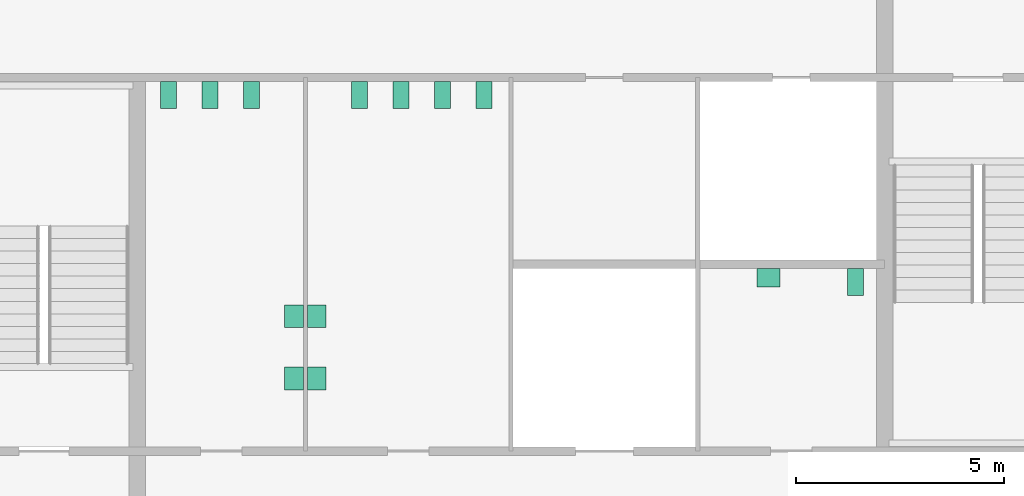
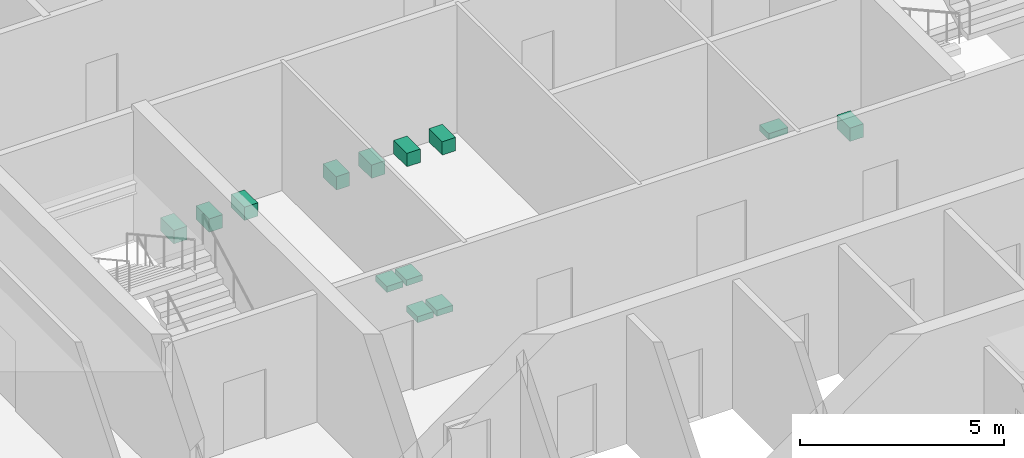
# One storey, part 14 of 14: 13 sanitary terminals.
"""IFC4 building model written with IfcOpenShell, lengths in metres."""

from ifc_helpers import new_model, si_unit, direction, frame, origin, origin_2d, place, context, subcontext, project, spatial, rectangle, extrude, material, type_object, element, save


model = new_model("IFC4")

# Units and contexts
model_context = context("Model", 3, precision=1e-05, world=origin(), true_north=direction((0.0, 1.0)))
body_context = subcontext(model_context, "Body", "Model", "MODEL_VIEW")
ifc_project = project(units=[si_unit("LENGTHUNIT", "METRE"), si_unit("AREAUNIT", "SQUARE_METRE"), si_unit("VOLUMEUNIT", "CUBIC_METRE"), si_unit("PLANEANGLEUNIT", "RADIAN"), si_unit("MASSUNIT", "GRAM", prefix="KILO")], contexts=[model_context])

# Site, building, storey
site_placement = place(None, origin())
site = spatial("IfcSite", under=ifc_project, at=site_placement, CompositionType="ELEMENT")
building_placement = place(site_placement, origin())
building = spatial("IfcBuilding", under=site, at=building_placement, Name="Corais Broadcast Tower", CompositionType="ELEMENT")
storey_placement = place(building_placement, frame((0.0, 0.0, 286.60009765625)))
storey = spatial("IfcBuildingStorey", under=building, at=storey_placement, Name="L67", CompositionType="ELEMENT", Elevation=286.60009765625)

# Sanitary terminals
ifc_material_1 = material(Name="Vitreous china", Category="ceramic")
sanitary_terminal_type_1 = type_object("IfcSanitaryTerminalType", Name="WC pan 380x650", PredefinedType="TOILETPAN", material=ifc_material_1)
for number, where, z_axis, x_axis, name in (
    (1, (18.75, 31.074951171875, 0.0), (0.0, 0.0, 1.0), (1.0, 0.0, 0.0), "SW1 WC pan, male toilets L67"),
    (2, (19.75, 31.074951171875, 0.0), (0.0, 0.0, 1.0), (1.0, 0.0, 0.0), "SW1 WC pan, male toilets L67"),
    (3, (20.75, 31.074951171875, 0.0), (0.0, 0.0, 1.0), (1.0, 0.0, 0.0), "SW1 WC pan, male toilets L67"),
    (4, (23.35009765625, 31.074951171875, 0.0), (0.0, 0.0, 1.0), (1.0, 0.0, 0.0), "SW1 WC pan, female toilets L67"),
    (5, (24.35009765625, 31.074951171875, 0.0), (0.0, 0.0, 1.0), (1.0, 0.0, 0.0), "SW1 WC pan, female toilets L67"),
    (6, (25.35009765625, 31.074951171875, 0.0), (0.0, 0.0, 1.0), (1.0, 0.0, 0.0), "SW1 WC pan, female toilets L67"),
    (7, (26.35009765625, 31.074951171875, 0.0), (0.0, 0.0, 1.0), (1.0, 0.0, 0.0), "SW1 WC pan, female toilets L67"),
    (8, (35.300048828125, 26.574951171875, 0.0), (0.0, 0.0, 1.0), (1.0, 0.0, 0.0), "SW1 WC pan, accessible WC L67"),
):
    element("IfcSanitaryTerminal", number, at=place(storey_placement, frame(where, z_axis=z_axis, x_axis=x_axis)), inside=storey, type_object=sanitary_terminal_type_1, Name=name, PredefinedType="TOILETPAN", context=body_context, shape_type="SweptSolid", body=[
        extrude(rectangle(XDim=0.3798828125, YDim=0.64990234375, at=origin_2d()), origin(), (0.0, 0.0, 1.0), 0.39990234375),
    ])
ifc_material_2 = material(Name="Vitreous china", Category="ceramic")
sanitary_terminal_type_2 = type_object("IfcSanitaryTerminalType", Name="Wash basin 550x450", PredefinedType="WASHHANDBASIN", material=ifc_material_2)
for number, where, z_axis, x_axis, name in (
    (9, (21.77490234375, 24.25, 0.69970703125), (0.0, 0.0, 1.0), (1.0, 0.0, 0.0), "WB1 wash basin, male toilets L67"),
    (10, (21.77490234375, 25.75, 0.69970703125), (0.0, 0.0, 1.0), (1.0, 0.0, 0.0), "WB1 wash basin, male toilets L67"),
    (11, (22.324951171875, 24.25, 0.69970703125), (0.0, 0.0, 1.0), (1.0, 0.0, 0.0), "WB1 wash basin, female toilets L67"),
    (12, (22.324951171875, 25.75, 0.69970703125), (0.0, 0.0, 1.0), (1.0, 0.0, 0.0), "WB1 wash basin, female toilets L67"),
):
    element("IfcSanitaryTerminal", number, at=place(storey_placement, frame(where, z_axis=z_axis, x_axis=x_axis)), inside=storey, type_object=sanitary_terminal_type_2, Name=name, PredefinedType="WASHHANDBASIN", context=body_context, shape_type="SweptSolid", body=[
        extrude(rectangle(XDim=0.449951171875, YDim=0.550048828125, at=origin_2d()), origin(), (0.0, 0.0, 1.0), 0.179931640625),
    ])
sanitary_terminal_placement = place(storey_placement, frame((33.199951171875, 26.675048828125, 0.69970703125), z_axis=(0.0, 0.0, 1.0), x_axis=(1.0, 0.0, 0.0)))
element("IfcSanitaryTerminal", 13, at=sanitary_terminal_placement, inside=storey, type_object=sanitary_terminal_type_2, Name="WB1 wash basin, accessible WC L67", PredefinedType="WASHHANDBASIN", context=body_context, shape_type="SweptSolid", body=[
    extrude(rectangle(XDim=0.550048828125, YDim=0.449951171875, at=origin_2d()), origin(), (0.0, 0.0, 1.0), 0.179931640625),
])

save(model, "model.ifc")
